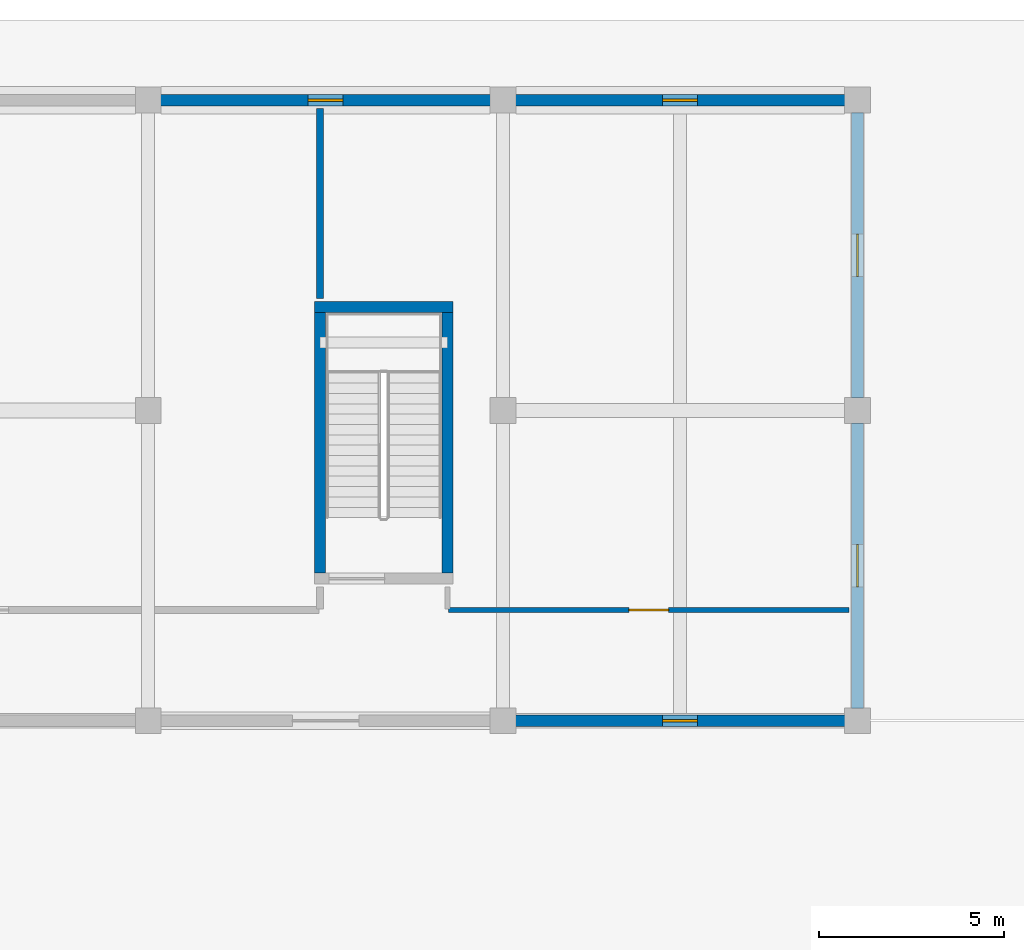
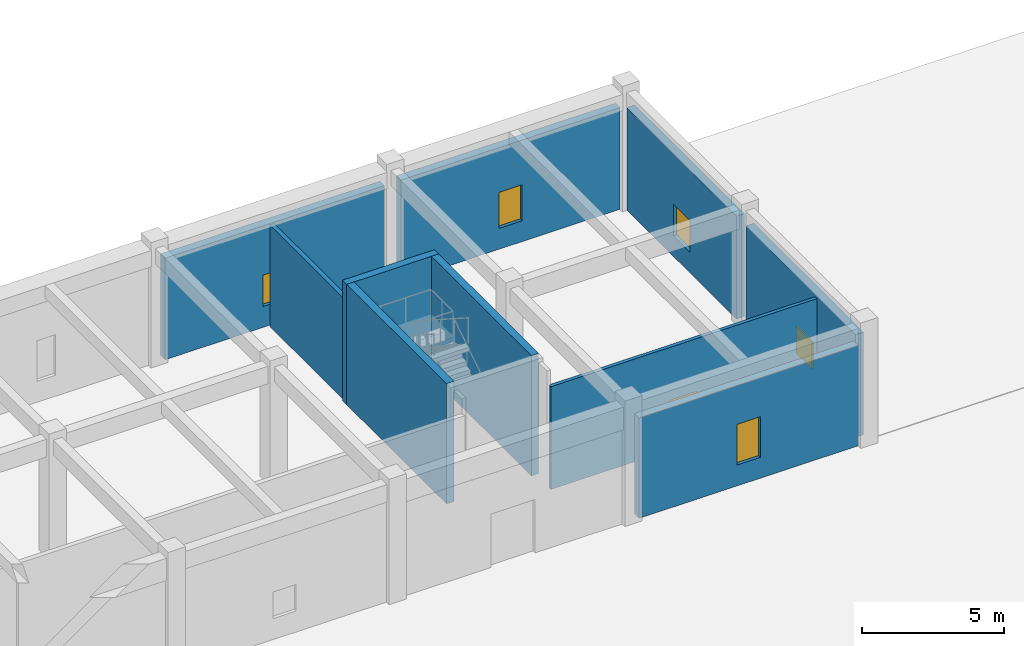
# One storey, part 55 of 70: 10 walls, 5 windows, 1 door, 6 openings.
"""IFC4 building model written with IfcOpenShell, lengths in metres."""

from ifc_helpers import new_model, si_unit, direction, frame, frame_2d, origin, place, context, subcontext, project, spatial, rectangle, extrude, material, layer, layer_set, type_object, element, fill, save


model = new_model("IFC4")

# Units and contexts
model_context = context("Model", 3, precision=1e-05, world=origin(), true_north=direction((0.0, 1.0)))
body_context = subcontext(model_context, "Body", "Model", "MODEL_VIEW")
ifc_project = project(units=[si_unit("LENGTHUNIT", "METRE"), si_unit("AREAUNIT", "SQUARE_METRE"), si_unit("VOLUMEUNIT", "CUBIC_METRE"), si_unit("PLANEANGLEUNIT", "RADIAN"), si_unit("MASSUNIT", "GRAM", prefix="KILO")], contexts=[model_context])

# Site, building, storey
site_placement = place(None, origin())
site = spatial("IfcSite", under=ifc_project, at=site_placement, CompositionType="ELEMENT")
building_placement = place(site_placement, origin())
building = spatial("IfcBuilding", under=site, at=building_placement, Name="Miralva Faculty of Natural Sciences", CompositionType="ELEMENT")
storey_placement = place(building_placement, origin())
storey = spatial("IfcBuildingStorey", under=building, at=storey_placement, Name="L00", CompositionType="ELEMENT", Elevation=0.0)

# Walls
ifc_material_1 = material(Name="Concrete C40/50", Category="concrete")
ifc_layer_1 = layer(ifc_material_1, 0.300048828125, Name="WL-CW03")
ifc_layer_set_1 = layer_set([ifc_layer_1], Name="Concrete C40/50")
wall_type_1 = type_object("IfcWallType", Name="WL-CW03", PredefinedType="SHEAR", material=ifc_layer_set_1)
wall_1_placement = place(storey_placement, frame((69.89990234375, 111.39990234375, 0.0), z_axis=(0.0, 0.0, 1.0), x_axis=(1.0, 0.0, 0.0)))
element("IfcWall", 1, at=wall_1_placement, inside=storey, type_object=wall_type_1, Name="Core C5 shear wall north L00", PredefinedType="SHEAR", context=body_context, shape_type="SweptSolid", body=[
    extrude(rectangle(XDim=3.75, YDim=0.300048828125, at=frame_2d((1.875, 0.0))), origin(), (0.0, 0.0, 1.0), 5.179931640625),
])
for number, where, z_axis, x_axis, name in (
    (2, (70.050048828125, 104.199951171875, 0.0), (0.0, 0.0, 1.0), (0.0, 1.0, 0.0), "Core C5 shear wall west L00"),
    (3, (73.5, 104.199951171875, 0.0), (0.0, 0.0, 1.0), (0.0, 1.0, 0.0), "Core C5 shear wall east L00"),
):
    element("IfcWall", number, at=place(storey_placement, frame(where, z_axis=z_axis, x_axis=x_axis)), inside=storey, type_object=wall_type_1, Name=name, PredefinedType="SHEAR", context=body_context, shape_type="SweptSolid", body=[
        extrude(rectangle(XDim=7.050048828125, YDim=0.300048828125, at=frame_2d((3.52490234375, 0.0))), origin(), (0.0, 0.0, 1.0), 5.179931640625),
    ])
ifc_material_2 = material(Name="Gypsum plasterboard")
ifc_layer_2 = layer(ifc_material_2, 0.179931640625, Name="WL-PT02")
ifc_layer_set_2 = layer_set([ifc_layer_2], Name="Gypsum plasterboard")
wall_type_2 = type_object("IfcWallType", Name="WL-PT02", PredefinedType="PARTITIONING", material=ifc_layer_set_2)
wall_2_placement = place(storey_placement, frame((70.050048828125, 111.6298828125, 0.0), z_axis=(0.0, 0.0, 1.0), x_axis=(0.0, 1.0, 0.0)))
element("IfcWall", 4, at=wall_2_placement, inside=storey, type_object=wall_type_2, Name="Interior partition PT-02 L00-146", PredefinedType="PARTITIONING", context=body_context, shape_type="SweptSolid", body=[
    extrude(rectangle(XDim=5.14013671875, YDim=0.179931640625, at=frame_2d((2.570068359375, 0.0))), origin(), (0.0, 0.0, 1.0), 4.375),
])

# Wall, opening, door
ifc_layer_3 = layer(ifc_material_2, 0.139892578125, Name="WL-PT04")
ifc_layer_set_3 = layer_set([ifc_layer_3], Name="Gypsum plasterboard")
wall_type_3 = type_object("IfcWallType", Name="WL-PT04", PredefinedType="PARTITIONING", material=ifc_layer_set_3)
wall_3_placement = place(storey_placement, frame((73.530029296875, 103.199951171875, 0.0), z_axis=(0.0, 0.0, 1.0), x_axis=(1.0, 0.0, 0.0)))
wall_3 = element("IfcWall", 5, at=wall_3_placement, inside=storey, type_object=wall_type_3, Name="Interior partition PT-04 L00-149", PredefinedType="PARTITIONING", context=body_context, shape_type="SweptSolid", body=[
    extrude(rectangle(XDim=10.840087890625, YDim=0.139892578125, at=frame_2d((5.419921875, 0.0))), origin(), (0.0, 0.0, 1.0), 4.425048828125),
])
opening_1_placement = place(wall_3_placement, frame((4.8798828125, 0.0, 0.0)))
opening_1 = element("IfcOpeningElement", 6, at=opening_1_placement, cuts=wall_3, Name="Opening D-32", PredefinedType="OPENING", context=body_context, shape_type="SweptSolid", body=[
    extrude(rectangle(XDim=1.080078125, YDim=2.14990234375, at=frame_2d((0.5400390625, 1.074951171875))), frame((0.0, 0.079833984375, 0.0), z_axis=(0.0, -1.0, 0.0), x_axis=(1.0, 0.0, 0.0)), (0.0, 0.0, 1.0), 0.159912109375),
])
ifc_material_3 = material(Name="Anodised aluminium", Category="aluminium")
door_type = type_object("IfcDoorType", Name="DR-DI32", OperationType="NOTDEFINED", PredefinedType="DOOR", material=ifc_material_3)
door_placement = place(opening_1_placement, origin())
door = element("IfcDoor", 7, at=door_placement, inside=storey, type_object=door_type, Name="Interior door D-32 L00-57", OperationType="SINGLE_SWING_LEFT", OverallHeight=2.14990234375, OverallWidth=1.080078125, PredefinedType="DOOR", context=body_context, shape_type="SweptSolid", body=[
    extrude(rectangle(XDim=1.080078125, YDim=2.14990234375, at=frame_2d((0.5400390625, 1.074951171875))), frame((0.0, 0.02490234375, 0.0), z_axis=(0.0, -1.0, 0.0), x_axis=(1.0, 0.0, 0.0)), (0.0, 0.0, 1.0), 0.050048828125),
])
fill(opening_1, door)

# Wall, opening, window
ifc_material_4 = material(Name="Precast concrete C40/50", Category="concrete")
ifc_layer_4 = layer(ifc_material_4, 0.320068359375, Name="WL-WT02")
ifc_layer_set_4 = layer_set([ifc_layer_4], Name="Precast concrete C40/50")
wall_type_4 = type_object("IfcWallType", Name="WL-WT02", PredefinedType="SOLIDWALL", material=ifc_layer_set_4)
wall_4_placement = place(storey_placement, frame((65.735107421875, 117.0, 0.0), z_axis=(0.0, 0.0, 1.0), x_axis=(1.0, 0.0, 0.0)))
wall_4 = element("IfcWall", 8, at=wall_4_placement, inside=storey, type_object=wall_type_4, Name="Exterior wall L00-171", PredefinedType="SOLIDWALL", context=body_context, shape_type="SweptSolid", body=[
    extrude(rectangle(XDim=8.929931640625, YDim=0.320068359375, at=frame_2d((4.46484375, 0.0))), origin(), (0.0, 0.0, 1.0), 4.375),
])
opening_2_placement = place(wall_4_placement, frame((3.989990234375, 0.0, 0.89990234375)))
opening_2 = element("IfcOpeningElement", 9, at=opening_2_placement, cuts=wall_4, Name="Opening W-46", PredefinedType="OPENING", context=body_context, shape_type="SweptSolid", body=[
    extrude(rectangle(XDim=0.949951171875, YDim=1.35009765625, at=frame_2d((0.47509765625, 0.675048828125))), frame((0.0, 0.169921875, 0.0), z_axis=(0.0, -1.0, 0.0), x_axis=(1.0, 0.0, 0.0)), (0.0, 0.0, 1.0), 0.340087890625),
])
ifc_material_5 = material(Name="Laminated solar-control glass", Category="glass")
window_type_1 = type_object("IfcWindowType", Name="WN-W46", PartitioningType="DOUBLE_PANEL_VERTICAL", PredefinedType="WINDOW", material=ifc_material_5)
window_1_placement = place(opening_2_placement, origin())
window_1 = element("IfcWindow", 10, at=window_1_placement, inside=storey, type_object=window_type_1, Name="Window W-46 L00-109", OverallHeight=1.35009765625, OverallWidth=0.949951171875, PartitioningType="DOUBLE_PANEL_VERTICAL", PredefinedType="WINDOW", context=body_context, shape_type="SweptSolid", body=[
    extrude(rectangle(XDim=0.949951171875, YDim=1.35009765625, at=frame_2d((0.47509765625, 0.675048828125))), frame((0.0, 0.030029296875, 0.0), z_axis=(0.0, -1.0, 0.0), x_axis=(1.0, 0.0, 0.0)), (0.0, 0.0, 1.0), 0.06005859375),
])
fill(opening_2, window_1)

wall_5_placement = place(storey_placement, frame((75.3349609375, 117.0, 0.0), z_axis=(0.0, 0.0, 1.0), x_axis=(1.0, 0.0, 0.0)))
wall_5 = element("IfcWall", 11, at=wall_5_placement, inside=storey, type_object=wall_type_4, Name="Exterior wall L00-173", PredefinedType="SOLIDWALL", context=body_context, shape_type="SweptSolid", body=[
    extrude(rectangle(XDim=8.929931640625, YDim=0.320068359375, at=frame_2d((4.46484375, 0.0))), origin(), (0.0, 0.0, 1.0), 4.375),
])
opening_3_placement = place(wall_5_placement, frame((3.989990234375, 0.0, 0.89990234375)))
opening_3 = element("IfcOpeningElement", 12, at=opening_3_placement, cuts=wall_5, Name="Opening W-47", PredefinedType="OPENING", context=body_context, shape_type="SweptSolid", body=[
    extrude(rectangle(XDim=0.949951171875, YDim=1.550048828125, at=frame_2d((0.47509765625, 0.77490234375))), frame((0.0, 0.169921875, 0.0), z_axis=(0.0, -1.0, 0.0), x_axis=(1.0, 0.0, 0.0)), (0.0, 0.0, 1.0), 0.340087890625),
])
window_type_2 = type_object("IfcWindowType", Name="WN-W47", PartitioningType="DOUBLE_PANEL_VERTICAL", PredefinedType="WINDOW", material=ifc_material_5)
window_2_placement = place(opening_3_placement, origin())
window_2 = element("IfcWindow", 13, at=window_2_placement, inside=storey, type_object=window_type_2, Name="Window W-47 L00-110", OverallHeight=1.550048828125, OverallWidth=0.949951171875, PartitioningType="DOUBLE_PANEL_VERTICAL", PredefinedType="WINDOW", context=body_context, shape_type="SweptSolid", body=[
    extrude(rectangle(XDim=0.949951171875, YDim=1.550048828125, at=frame_2d((0.47509765625, 0.77490234375))), frame((0.0, 0.030029296875, 0.0), z_axis=(0.0, -1.0, 0.0), x_axis=(1.0, 0.0, 0.0)), (0.0, 0.0, 1.0), 0.06005859375),
])
fill(opening_3, window_2)

wall_6_placement = place(storey_placement, frame((75.3349609375, 100.199951171875, 0.0), z_axis=(0.0, 0.0, 1.0), x_axis=(1.0, 0.0, 0.0)))
wall_6 = element("IfcWall", 14, at=wall_6_placement, inside=storey, type_object=wall_type_4, Name="Exterior wall L00-174", PredefinedType="SOLIDWALL", context=body_context, shape_type="SweptSolid", body=[
    extrude(rectangle(XDim=8.929931640625, YDim=0.320068359375, at=frame_2d((4.46484375, 0.0))), origin(), (0.0, 0.0, 1.0), 4.324951171875),
])
opening_4_placement = place(wall_6_placement, frame((3.989990234375, 0.0, 0.89990234375)))
opening_4 = element("IfcOpeningElement", 15, at=opening_4_placement, cuts=wall_6, Name="Opening W-48", PredefinedType="OPENING", context=body_context, shape_type="SweptSolid", body=[
    extrude(rectangle(XDim=0.949951171875, YDim=1.75, at=frame_2d((0.47509765625, 0.875))), frame((0.0, 0.169921875, 0.0), z_axis=(0.0, -1.0, 0.0), x_axis=(1.0, 0.0, 0.0)), (0.0, 0.0, 1.0), 0.340087890625),
])
window_type_3 = type_object("IfcWindowType", Name="WN-W48", PartitioningType="DOUBLE_PANEL_VERTICAL", PredefinedType="WINDOW", material=ifc_material_5)
window_3_placement = place(opening_4_placement, frame((0.949951171875, 0.0, 0.0), z_axis=(0.0, 0.0, 1.0), x_axis=(-1.0, 0.0, 0.0)))
window_3 = element("IfcWindow", 16, at=window_3_placement, inside=storey, type_object=window_type_3, Name="Window W-48 L00-111", OverallHeight=1.75, OverallWidth=0.949951171875, PartitioningType="DOUBLE_PANEL_VERTICAL", PredefinedType="WINDOW", context=body_context, shape_type="SweptSolid", body=[
    extrude(rectangle(XDim=0.949951171875, YDim=1.75, at=frame_2d((0.47509765625, 0.875))), frame((0.0, 0.030029296875, 0.0), z_axis=(0.0, -1.0, 0.0), x_axis=(1.0, 0.0, 0.0)), (0.0, 0.0, 1.0), 0.06005859375),
])
fill(opening_4, window_3)

wall_7_placement = place(storey_placement, frame((84.60009765625, 100.534912109375, 0.0), z_axis=(0.0, 0.0, 1.0), x_axis=(0.0, 1.0, 0.0)))
wall_7 = element("IfcWall", 17, at=wall_7_placement, inside=storey, type_object=wall_type_4, Name="Exterior wall L00-175", PredefinedType="SOLIDWALL", context=body_context, shape_type="SweptSolid", body=[
    extrude(rectangle(XDim=7.72998046875, YDim=0.320068359375, at=frame_2d((3.864990234375, 0.0))), origin(), (0.0, 0.0, 1.0), 4.425048828125),
])
opening_5_placement = place(wall_7_placement, frame((3.2900390625, 0.0, 0.89990234375)))
opening_5 = element("IfcOpeningElement", 18, at=opening_5_placement, cuts=wall_7, Name="Opening W-49", PredefinedType="OPENING", context=body_context, shape_type="SweptSolid", body=[
    extrude(rectangle(XDim=1.14990234375, YDim=1.14990234375, at=frame_2d((0.574951171875, 0.574951171875))), frame((0.0, 0.169921875, 0.0), z_axis=(0.0, -1.0, 0.0), x_axis=(1.0, 0.0, 0.0)), (0.0, 0.0, 1.0), 0.340087890625),
])
window_type_4 = type_object("IfcWindowType", Name="WN-W49", PartitioningType="DOUBLE_PANEL_VERTICAL", PredefinedType="WINDOW", material=ifc_material_5)
window_4_placement = place(opening_5_placement, frame((1.14990234375, 0.0, 0.0), z_axis=(0.0, 0.0, 1.0), x_axis=(-1.0, 0.0, 0.0)))
window_4 = element("IfcWindow", 19, at=window_4_placement, inside=storey, type_object=window_type_4, Name="Window W-49 L00-112", OverallHeight=1.14990234375, OverallWidth=1.14990234375, PartitioningType="DOUBLE_PANEL_VERTICAL", PredefinedType="WINDOW", context=body_context, shape_type="SweptSolid", body=[
    extrude(rectangle(XDim=1.14990234375, YDim=1.14990234375, at=frame_2d((0.574951171875, 0.574951171875))), frame((0.0, 0.030029296875, 0.0), z_axis=(0.0, -1.0, 0.0), x_axis=(1.0, 0.0, 0.0)), (0.0, 0.0, 1.0), 0.06005859375),
])
fill(opening_5, window_4)

wall_8_placement = place(storey_placement, frame((84.60009765625, 108.93505859375, 0.0), z_axis=(0.0, 0.0, 1.0), x_axis=(0.0, 1.0, 0.0)))
wall_8 = element("IfcWall", 20, at=wall_8_placement, inside=storey, type_object=wall_type_4, Name="Exterior wall L00-176", PredefinedType="SOLIDWALL", context=body_context, shape_type="SweptSolid", body=[
    extrude(rectangle(XDim=7.72998046875, YDim=0.320068359375, at=frame_2d((3.864990234375, 0.0))), origin(), (0.0, 0.0, 1.0), 4.425048828125),
])
opening_6_placement = place(wall_8_placement, frame((3.2900390625, 0.0, 0.89990234375)))
opening_6 = element("IfcOpeningElement", 21, at=opening_6_placement, cuts=wall_8, Name="Opening W-50", PredefinedType="OPENING", context=body_context, shape_type="SweptSolid", body=[
    extrude(rectangle(XDim=1.14990234375, YDim=1.35009765625, at=frame_2d((0.574951171875, 0.675048828125))), frame((0.0, 0.169921875, 0.0), z_axis=(0.0, -1.0, 0.0), x_axis=(1.0, 0.0, 0.0)), (0.0, 0.0, 1.0), 0.340087890625),
])
window_type_5 = type_object("IfcWindowType", Name="WN-W50", PartitioningType="DOUBLE_PANEL_VERTICAL", PredefinedType="WINDOW", material=ifc_material_5)
window_5_placement = place(opening_6_placement, frame((1.14990234375, 0.0, 0.0), z_axis=(0.0, 0.0, 1.0), x_axis=(-1.0, 0.0, 0.0)))
window_5 = element("IfcWindow", 22, at=window_5_placement, inside=storey, type_object=window_type_5, Name="Window W-50 L00-113", OverallHeight=1.35009765625, OverallWidth=1.14990234375, PartitioningType="DOUBLE_PANEL_VERTICAL", PredefinedType="WINDOW", context=body_context, shape_type="SweptSolid", body=[
    extrude(rectangle(XDim=1.14990234375, YDim=1.35009765625, at=frame_2d((0.574951171875, 0.675048828125))), frame((0.0, 0.030029296875, 0.0), z_axis=(0.0, -1.0, 0.0), x_axis=(1.0, 0.0, 0.0)), (0.0, 0.0, 1.0), 0.06005859375),
])
fill(opening_6, window_5)

save(model, "model.ifc")
